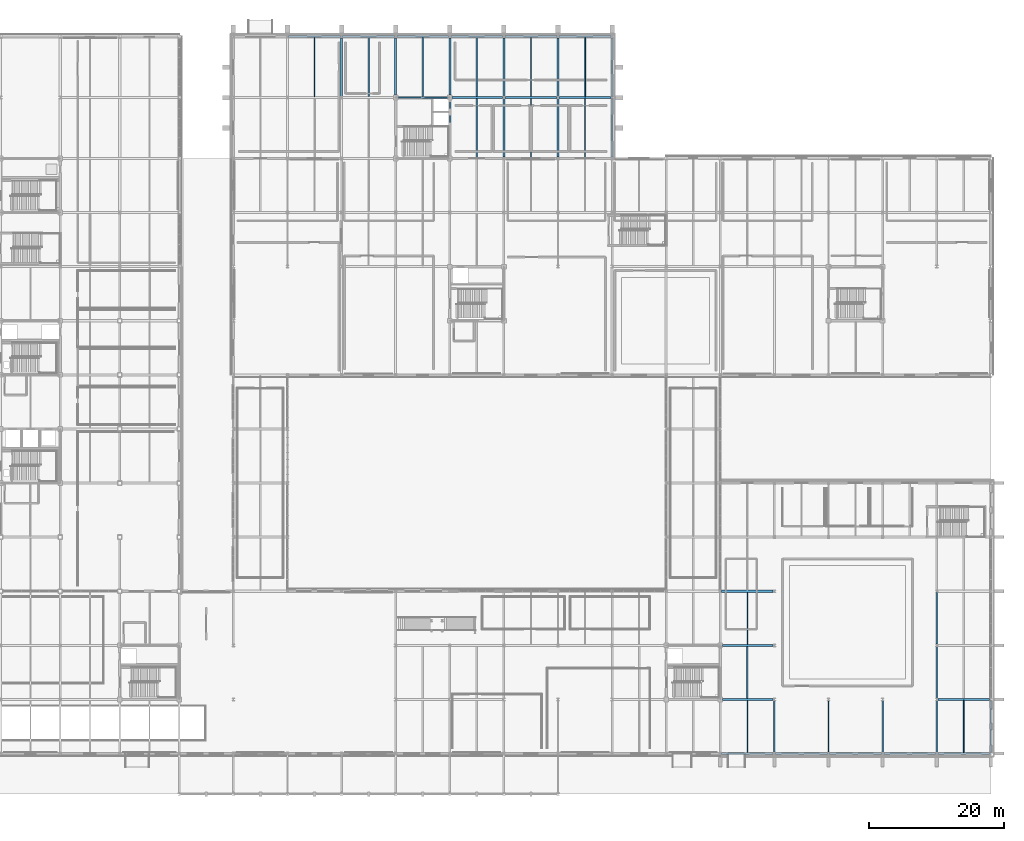
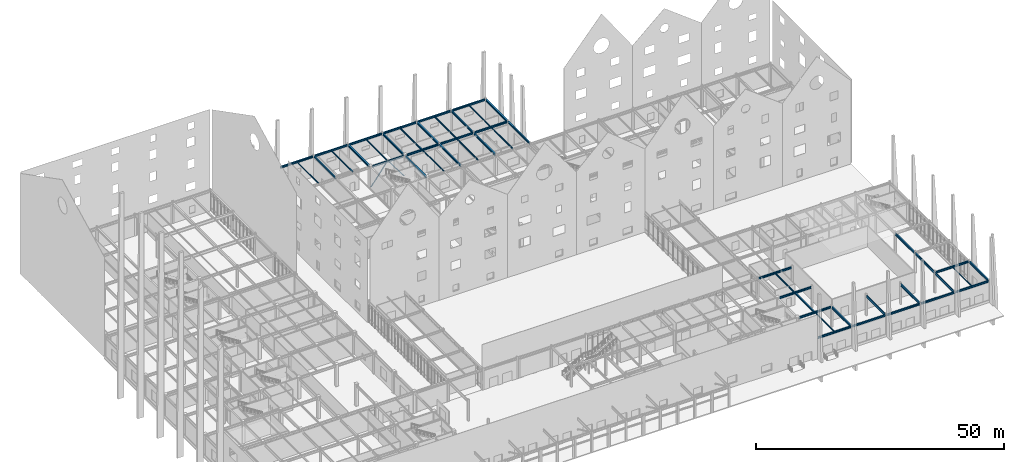
# One storey, part 48 of 119: 49 beams, 2 members.
"""IFC4 building model written with IfcOpenShell, lengths in metres."""

import ifcopenshell
import ifcopenshell.guid

model = None  # the IFC model being written
_history = None  # IfcOwnerHistory: only IFC2X3 demands one
_inside = {}  # id of a spatial element -> (the spatial element, [elements in it])
_under = {}  # id of a project, library or spatial element -> (it, [spatial elements below it])
_declared = {}  # id of a project -> (the project, [libraries it declares])
_typed = {}  # id of a type object -> (the type object, [elements of that type])
_made_of = {}  # id of a material, layer set ... -> (it, [elements and type objects made of it])


def new_model(schema):
    """Start an empty IFC model of exactly this schema.

    Asked for "IFC4X3", IfcOpenShell would pick the latest addendum, in which some entities
    have other attributes; the version numbers below select the first issue.
    IFC2X3 requires an IfcOwnerHistory on every rooted entity: one is made here for all.
    """
    global model, _history
    if schema == "IFC4X3":
        model = ifcopenshell.file(schema_version=(4, 3, 0, 0))
    else:
        model = ifcopenshell.file(schema=schema)
    _inside.clear()
    _under.clear()
    _declared.clear()
    _typed.clear()
    _made_of.clear()
    _history = None
    if model.schema == "IFC2X3":
        org = make("IfcOrganization", Name="unknown")
        user = make(
            "IfcPersonAndOrganization",
            ThePerson=make("IfcPerson", FamilyName="unknown"),
            TheOrganization=org,
        )
        app = make(
            "IfcApplication",
            ApplicationDeveloper=org,
            Version="unknown",
            ApplicationFullName="unknown",
            ApplicationIdentifier="unknown",
        )
        _history = make(
            "IfcOwnerHistory",
            OwningUser=user,
            OwningApplication=app,
            ChangeAction="ADDED",
            CreationDate=0,
        )
    return model


def make(cls, **values):
    """One entity of the class cls with the attributes given. An attribute that is None is left unset."""
    return model.create_entity(
        cls, **{name: value for name, value in values.items() if value is not None}
    )


def rooted(cls, **values):
    """An entity with a GlobalId (a new one), such as an element, a storey or a relation."""
    return make(cls, GlobalId=ifcopenshell.guid.new(), OwnerHistory=_history, **values)


def si_unit(unit_type, name, prefix=None):
    """IfcSIUnit, for example si_unit("LENGTHUNIT", "METRE", prefix="MILLI")."""
    return make("IfcSIUnit", UnitType=unit_type, Prefix=prefix, Name=name)


def assignment(units):
    """IfcUnitAssignment: the units of a project."""
    return None if units is None else make("IfcUnitAssignment", Units=units)


def point(xyz):
    """IfcCartesianPoint."""
    return None if xyz is None else make("IfcCartesianPoint", Coordinates=xyz)


def direction(xyz):
    """IfcDirection."""
    return None if xyz is None else make("IfcDirection", DirectionRatios=xyz)


def frame(location, z_axis=None, x_axis=None):
    """IfcAxis2Placement3D, a coordinate frame: its origin and axes. An axis left out is left unset."""
    return make(
        "IfcAxis2Placement3D",
        Location=point(location),
        Axis=direction(z_axis),
        RefDirection=direction(x_axis),
    )


def frame_2d(location, x_axis=None):
    """IfcAxis2Placement2D, a coordinate frame in the plane: its origin and x axis."""
    return make(
        "IfcAxis2Placement2D", Location=point(location), RefDirection=direction(x_axis)
    )


def origin():
    """The frame at (0, 0, 0) with its axes left unset."""
    return frame((0.0, 0.0, 0.0))


def origin_2d():
    """The frame at (0, 0) in the plane with its x axis left unset."""
    return frame_2d((0.0, 0.0))


def place(relative_to, where):
    """IfcLocalPlacement: puts the frame where relative to a parent placement (None: the world)."""
    return make(
        "IfcLocalPlacement", PlacementRelTo=relative_to, RelativePlacement=where
    )


def context(
    kind, dimensions, precision=None, world=None, true_north=None, identifier=None
):
    """IfcGeometricRepresentationContext, for example the 3D "Model" context."""
    return make(
        "IfcGeometricRepresentationContext",
        ContextIdentifier=identifier,
        ContextType=kind,
        CoordinateSpaceDimension=dimensions,
        Precision=precision,
        WorldCoordinateSystem=world,
        TrueNorth=true_north,
    )


def subcontext(parent, identifier, kind, view, scale=None):
    """IfcGeometricRepresentationSubContext, for example "Body" below "Model"."""
    return make(
        "IfcGeometricRepresentationSubContext",
        ContextIdentifier=identifier,
        ContextType=kind,
        ParentContext=parent,
        TargetScale=scale,
        TargetView=view,
    )


def project(units=None, contexts=None):
    """IfcProject with its units and contexts."""
    return rooted(
        "IfcProject",
        Name="project",
        RepresentationContexts=contexts,
        UnitsInContext=assignment(units),
    )


def spatial(cls, under=None, at=None, **own):
    """A site, building, storey or space (cls), placed at a placement, below another one or the project."""
    s = rooted(cls, ObjectPlacement=at, **own)
    if under is not None:
        _under.setdefault(under.id(), (under, []))[1].append(s)
    return s


def profile(cls, at=None, kind="AREA", **sizes):
    """A parametric profile (cls). Its sizes go by their IFC names, for example OverallWidth=200.0."""
    return make(cls, ProfileType=kind, Position=at, **sizes)


def hollow_rectangle(**sizes):
    """IfcRectangleHollowProfileDef."""
    return profile("IfcRectangleHollowProfileDef", **sizes)


def hollow_circle(**sizes):
    """IfcCircleHollowProfileDef."""
    return profile("IfcCircleHollowProfileDef", **sizes)


def i_section(**sizes):
    """IfcIShapeProfileDef."""
    return profile("IfcIShapeProfileDef", **sizes)


def extrude(swept, where, along, depth):
    """IfcExtrudedAreaSolid: the profile swept, set in the frame where, extruded along a direction by depth."""
    return make(
        "IfcExtrudedAreaSolid",
        SweptArea=swept,
        Position=where,
        ExtrudedDirection=direction(along),
        Depth=depth,
    )


def shape(context_of_items, identifier, shape_type, items):
    """IfcShapeRepresentation: the items that make up one representation, for example the "Body"."""
    return make(
        "IfcShapeRepresentation",
        ContextOfItems=context_of_items,
        RepresentationIdentifier=identifier,
        RepresentationType=shape_type,
        Items=items,
    )


def material(Name=None, Category=None):
    """IfcMaterial."""
    return make("IfcMaterial", Name=Name, Category=Category)


def material_profile(
    of_material, cross_section, Name=None, Category=None, Priority=None
):
    """IfcMaterialProfile: a cross section and its material."""
    return make(
        "IfcMaterialProfile",
        Name=Name,
        Material=of_material,
        Profile=cross_section,
        Priority=Priority,
        Category=Category,
    )


def profile_set(profiles, Name=None, composite=None):
    """IfcMaterialProfileSet."""
    return make(
        "IfcMaterialProfileSet",
        Name=Name,
        MaterialProfiles=profiles,
        CompositeProfile=composite,
    )


def made_of(thing, what):
    """Note that an element or type object is made of a material, layer set ...; save() writes the relation."""
    if what is not None:
        _made_of.setdefault(what.id(), (what, []))[1].append(thing)
    return thing


def type_object(cls, material=None, **own):
    """A type object (cls), such as IfcWallType, which elements share."""
    return made_of(rooted(cls, **own), material)


def element(
    cls,
    number,
    at=None,
    inside=None,
    cuts=None,
    type_object=None,
    material=None,
    context=None,
    identifier="Body",
    shape_type=None,
    held_by="IfcProductDefinitionShape",
    body=None,
    shapes=None,
    **own,
):
    """One element of the class cls, such as IfcWall. Its Tag is "e" and its number.

    at: its placement. inside: the storey or other place that contains it. cuts: it is an
    opening in that element (IfcRelVoidsElement). A single representation is given by context,
    identifier, shape_type and body (its items); several are given by shapes. held_by: the class
    of the entity that holds the representations. save() writes the other relations.
    """
    e = rooted(cls, Tag="e%d" % number, ObjectPlacement=at, **own)
    if body is not None:
        shapes = [shape(context, identifier, shape_type, body)]
    if shapes is not None:
        e.Representation = make(held_by, Representations=shapes)
    if inside is not None:
        _inside.setdefault(inside.id(), (inside, []))[1].append(e)
    if cuts is not None:
        rooted(
            "IfcRelVoidsElement", RelatingBuildingElement=cuts, RelatedOpeningElement=e
        )
    if type_object is not None:
        _typed.setdefault(type_object.id(), (type_object, []))[1].append(e)
    return made_of(e, material)


def aggregate(whole, parts):
    """IfcRelAggregates: a whole, such as a stair, and the parts it consists of."""
    return rooted("IfcRelAggregates", RelatingObject=whole, RelatedObjects=parts)


def save(model, path):
    """Write the relations noted so far, then the file.

    IfcRelAggregates (storeys below a building ...), IfcRelContainedInSpatialStructure (elements
    in a storey), IfcRelDefinesByType, IfcRelAssociatesMaterial and IfcRelDeclares: one each for
    every whole, place, type object, material and project.
    """
    for whole, parts in _under.values():
        aggregate(whole, parts)
    for where, things in _inside.values():
        rooted(
            "IfcRelContainedInSpatialStructure",
            RelatedElements=things,
            RelatingStructure=where,
        )
    for kind, things in _typed.values():
        rooted("IfcRelDefinesByType", RelatedObjects=things, RelatingType=kind)
    for what, things in _made_of.values():
        rooted("IfcRelAssociatesMaterial", RelatedObjects=things, RelatingMaterial=what)
    for by, libraries in _declared.values():
        rooted("IfcRelDeclares", RelatingContext=by, RelatedDefinitions=libraries)
    model.write(path)


model = new_model("IFC4")

# Units and contexts
model_context = context("Model", 3, precision=1e-05, world=origin(), true_north=direction((0.0, 1.0)))
body_context = subcontext(model_context, "Body", "Model", "MODEL_VIEW")
ifc_project = project(units=[si_unit("LENGTHUNIT", "METRE"), si_unit("AREAUNIT", "SQUARE_METRE"), si_unit("VOLUMEUNIT", "CUBIC_METRE"), si_unit("PLANEANGLEUNIT", "RADIAN"), si_unit("MASSUNIT", "GRAM", prefix="KILO")], contexts=[model_context])

# Site, building, storey
site_placement = place(None, origin())
site = spatial("IfcSite", under=ifc_project, at=site_placement, CompositionType="ELEMENT")
building_placement = place(site_placement, origin())
building = spatial("IfcBuilding", under=site, at=building_placement, Name="Zhaolan Boulevard Law Courts", CompositionType="ELEMENT")
storey_placement = place(building_placement, origin())
storey = spatial("IfcBuildingStorey", under=building, at=storey_placement, Name="L00", CompositionType="ELEMENT", Elevation=0.0)

# Member
ifc_material_1 = material(Name="Structural steel Q355B", Category="steel")
ifc_material_profile_1 = material_profile(ifc_material_1, hollow_rectangle(XDim=0.219970703125, YDim=0.219970703125, WallThickness=0.010009765625, InnerFilletRadius=0.010009765625, OuterFilletRadius=0.02001953125, at=origin_2d()), Name="HSS220x220x10")
ifc_profile_set_1 = profile_set([ifc_material_profile_1], Name="Structural steel Q355B")
member_type_1 = type_object("IfcMemberType", Name="BRACE HSS220", PredefinedType="BRACE", material=ifc_profile_set_1)
member_1_placement = place(storey_placement, frame((83.820068359375, 103.0, 0.030029296875), z_axis=(-0.600251625626, 0.0, 0.799811218935), x_axis=(0.0, -1.0, 0.0)))
element("IfcMember", 1, at=member_1_placement, inside=storey, type_object=member_type_1, Name="Core Brace BR-C1-L00-N2", PredefinedType="BRACE", context=body_context, shape_type="SweptSolid", body=[
    extrude(hollow_rectangle(XDim=0.219970703125, YDim=0.219970703125, WallThickness=0.010009765625, InnerFilletRadius=0.010009765625, OuterFilletRadius=0.02001953125, at=origin_2d()), origin(), (0.0, 0.0, 1.0), 6.364013671875),
])

# Beams
ifc_material_2 = material(Name="Structural steel Q355B", Category="steel")
ifc_material_profile_2 = material_profile(ifc_material_2, i_section(OverallWidth=0.300048828125, OverallDepth=0.43994140625, WebThickness=0.010986328125, FlangeThickness=0.01806640625, FilletRadius=0.02001953125, at=origin_2d()), Name="HM440x300")
ifc_profile_set_2 = profile_set([ifc_material_profile_2], Name="Structural steel Q355B")
beam_type_1 = type_object("IfcBeamType", Name="GIRDER HM440", PredefinedType="BEAM", material=ifc_profile_set_2)
for number, where, z_axis, x_axis, name in (
    (2, (124.1708984375, 6.0, 4.89794921875), (1.0, 0.0, 0.0), (0.0, 1.0, 0.0), "Beam BX-L01-16-17-B"),
    (3, (132.1708984375, 6.0, 4.89794921875), (1.0, 0.0, 0.0), (0.0, 1.0, 0.0), "Beam BX-L01-17-18-B"),
    (4, (140.1708984375, 6.0, 4.89794921875), (1.0, 0.0, 0.0), (0.0, 1.0, 0.0), "Beam BX-L01-18-19-B"),
    (5, (148.1708984375, 6.0, 4.89794921875), (1.0, 0.0, 0.0), (0.0, 1.0, 0.0), "Beam BX-L01-19-20-B"),
    (6, (156.1708984375, 6.0, 4.89794921875), (1.0, 0.0, 0.0), (0.0, 1.0, 0.0), "Beam BX-L01-20-21-B"),
):
    element("IfcBeam", number, at=place(storey_placement, frame(where, z_axis=z_axis, x_axis=x_axis)), inside=storey, type_object=beam_type_1, Name=name, PredefinedType="BEAM", context=body_context, shape_type="SweptSolid", body=[
        extrude(i_section(OverallWidth=0.300048828125, OverallDepth=0.43994140625, WebThickness=0.010986328125, FlangeThickness=0.01806640625, FilletRadius=0.02001953125, at=origin_2d()), origin(), (0.0, 0.0, 1.0), 7.658203125),
    ])
beam_1_placement = place(storey_placement, frame((124.345947265625, 14.0, 4.89794921875), z_axis=(1.0, 0.0, 0.0), x_axis=(0.0, 1.0, 0.0)))
element("IfcBeam", 7, at=beam_1_placement, inside=storey, type_object=beam_type_1, Name="Beam BX-L01-16-17-C", PredefinedType="BEAM", context=body_context, shape_type="SweptSolid", body=[
    extrude(i_section(OverallWidth=0.300048828125, OverallDepth=0.43994140625, WebThickness=0.010986328125, FlangeThickness=0.01806640625, FilletRadius=0.02001953125, at=origin_2d()), origin(), (0.0, 0.0, 1.0), 7.483154296875),
])
beam_2_placement = place(storey_placement, frame((156.1708984375, 14.0, 4.89794921875), z_axis=(1.0, 0.0, 0.0), x_axis=(0.0, 1.0, 0.0)))
element("IfcBeam", 8, at=beam_2_placement, inside=storey, type_object=beam_type_1, Name="Beam BX-L01-20-21-C", PredefinedType="BEAM", context=body_context, shape_type="SweptSolid", body=[
    extrude(i_section(OverallWidth=0.300048828125, OverallDepth=0.43994140625, WebThickness=0.010986328125, FlangeThickness=0.01806640625, FilletRadius=0.02001953125, at=origin_2d()), origin(), (0.0, 0.0, 1.0), 7.658203125),
])
beam_3_placement = place(storey_placement, frame((124.345947265625, 22.0, 4.89794921875), z_axis=(1.0, 0.0, 0.0), x_axis=(0.0, 1.0, 0.0)))
element("IfcBeam", 9, at=beam_3_placement, inside=storey, type_object=beam_type_1, Name="Beam BX-L01-16-17-D", PredefinedType="BEAM", context=body_context, shape_type="SweptSolid", body=[
    extrude(i_section(OverallWidth=0.300048828125, OverallDepth=0.43994140625, WebThickness=0.010986328125, FlangeThickness=0.01806640625, FilletRadius=0.02001953125, at=origin_2d()), origin(), (0.0, 0.0, 1.0), 7.483154296875),
])
beam_4_placement = place(storey_placement, frame((124.1708984375, 30.0, 4.89794921875), z_axis=(1.0, 0.0, 0.0), x_axis=(0.0, 1.0, 0.0)))
element("IfcBeam", 10, at=beam_4_placement, inside=storey, type_object=beam_type_1, Name="Beam BX-L01-16-17-E", PredefinedType="BEAM", context=body_context, shape_type="SweptSolid", body=[
    extrude(i_section(OverallWidth=0.300048828125, OverallDepth=0.43994140625, WebThickness=0.010986328125, FlangeThickness=0.01806640625, FilletRadius=0.02001953125, at=origin_2d()), origin(), (0.0, 0.0, 1.0), 7.658203125),
])
beam_5_placement = place(storey_placement, frame((76.345947265625, 103.0, 4.91796875), z_axis=(1.0, 0.0, 0.0), x_axis=(0.0, 1.0, 0.0)))
element("IfcBeam", 11, at=beam_5_placement, inside=storey, type_object=beam_type_1, Name="Beam BX-L01-10-11-P", PredefinedType="BEAM", context=body_context, shape_type="SweptSolid", body=[
    extrude(i_section(OverallWidth=0.300048828125, OverallDepth=0.43994140625, WebThickness=0.010986328125, FlangeThickness=0.01806640625, FilletRadius=0.02001953125, at=origin_2d()), origin(), (0.0, 0.0, 1.0), 7.30810546875),
])
beam_6_placement = place(storey_placement, frame((84.345947265625, 103.0, 4.91796875), z_axis=(1.0, 0.0, 0.0), x_axis=(0.0, 1.0, 0.0)))
element("IfcBeam", 12, at=beam_6_placement, inside=storey, type_object=beam_type_1, Name="Beam BX-L01-11-12-P", PredefinedType="BEAM", context=body_context, shape_type="SweptSolid", body=[
    extrude(i_section(OverallWidth=0.300048828125, OverallDepth=0.43994140625, WebThickness=0.010986328125, FlangeThickness=0.01806640625, FilletRadius=0.02001953125, at=origin_2d()), origin(), (0.0, 0.0, 1.0), 7.483154296875),
])
for number, where, z_axis, x_axis, name in (
    (13, (92.1708984375, 103.0, 4.91796875), (1.0, 0.0, 0.0), (0.0, 1.0, 0.0), "Beam BX-L01-12-13-P"),
    (14, (100.1708984375, 103.0, 4.91796875), (1.0, 0.0, 0.0), (0.0, 1.0, 0.0), "Beam BX-L01-13-14-P"),
    (15, (60.1708984375, 112.0, 4.91796875), (1.0, 0.0, 0.0), (0.0, 1.0, 0.0), "Beam BX-L01-8-9-Q"),
    (16, (68.1708984375, 112.0, 4.91796875), (1.0, 0.0, 0.0), (0.0, 1.0, 0.0), "Beam BX-L01-9-10-Q"),
    (17, (76.1708984375, 112.0, 4.91796875), (1.0, 0.0, 0.0), (0.0, 1.0, 0.0), "Beam BX-L01-10-11-Q"),
    (18, (84.1708984375, 112.0, 4.91796875), (1.0, 0.0, 0.0), (0.0, 1.0, 0.0), "Beam BX-L01-11-12-Q"),
    (19, (92.1708984375, 112.0, 4.91796875), (1.0, 0.0, 0.0), (0.0, 1.0, 0.0), "Beam BX-L01-12-13-Q"),
    (20, (100.1708984375, 112.0, 4.91796875), (1.0, 0.0, 0.0), (0.0, 1.0, 0.0), "Beam BX-L01-13-14-Q"),
):
    element("IfcBeam", number, at=place(storey_placement, frame(where, z_axis=z_axis, x_axis=x_axis)), inside=storey, type_object=beam_type_1, Name=name, PredefinedType="BEAM", context=body_context, shape_type="SweptSolid", body=[
        extrude(i_section(OverallWidth=0.300048828125, OverallDepth=0.43994140625, WebThickness=0.010986328125, FlangeThickness=0.01806640625, FilletRadius=0.02001953125, at=origin_2d()), origin(), (0.0, 0.0, 1.0), 7.658203125),
    ])
ifc_material_3 = material(Name="Structural steel Q355B", Category="steel")
ifc_material_profile_3 = material_profile(ifc_material_3, i_section(OverallWidth=0.300048828125, OverallDepth=0.48193359375, WebThickness=0.010986328125, FlangeThickness=0.014892578125, FilletRadius=0.02197265625, at=origin_2d()), Name="HM482x300")
ifc_profile_set_3 = profile_set([ifc_material_profile_3], Name="Structural steel Q355B")
beam_type_2 = type_object("IfcBeamType", Name="GIRDER HM488", PredefinedType="BEAM", material=ifc_profile_set_3)
beam_7_placement = place(storey_placement, frame((68.0, 103.1708984375, 4.89697265625), z_axis=(0.0, 1.0, 0.0), x_axis=(-1.0, 0.0, 0.0)))
element("IfcBeam", 21, at=beam_7_placement, inside=storey, type_object=beam_type_2, Name="Beam BY-L01-9-P-Q", PredefinedType="BEAM", context=body_context, shape_type="SweptSolid", body=[
    extrude(i_section(OverallWidth=0.300048828125, OverallDepth=0.48193359375, WebThickness=0.010986328125, FlangeThickness=0.014892578125, FilletRadius=0.02197265625, at=origin_2d()), origin(), (0.0, 0.0, 1.0), 8.658203125),
])
beam_8_placement = place(storey_placement, frame((76.0, 103.345947265625, 4.89697265625), z_axis=(0.0, 1.0, 0.0), x_axis=(-1.0, 0.0, 0.0)))
element("IfcBeam", 22, at=beam_8_placement, inside=storey, type_object=beam_type_2, Name="Beam BY-L01-10-P-Q", PredefinedType="BEAM", context=body_context, shape_type="SweptSolid", body=[
    extrude(i_section(OverallWidth=0.300048828125, OverallDepth=0.48193359375, WebThickness=0.010986328125, FlangeThickness=0.014892578125, FilletRadius=0.02197265625, at=origin_2d()), origin(), (0.0, 0.0, 1.0), 8.483154296875),
])
beam_9_placement = place(storey_placement, frame((84.0, 94.345947265625, 4.89697265625), z_axis=(0.0, 1.0, 0.0), x_axis=(-1.0, 0.0, 0.0)))
element("IfcBeam", 23, at=beam_9_placement, inside=storey, type_object=beam_type_2, Name="Beam BY-L01-11-N-P", PredefinedType="BEAM", context=body_context, shape_type="SweptSolid", body=[
    extrude(i_section(OverallWidth=0.300048828125, OverallDepth=0.48193359375, WebThickness=0.010986328125, FlangeThickness=0.014892578125, FilletRadius=0.02197265625, at=origin_2d()), origin(), (0.0, 0.0, 1.0), 8.30810546875),
])
beam_10_placement = place(storey_placement, frame((84.0, 103.345947265625, 4.89697265625), z_axis=(0.0, 1.0, 0.0), x_axis=(-1.0, 0.0, 0.0)))
element("IfcBeam", 24, at=beam_10_placement, inside=storey, type_object=beam_type_2, Name="Beam BY-L01-11-P-Q", PredefinedType="BEAM", context=body_context, shape_type="SweptSolid", body=[
    extrude(i_section(OverallWidth=0.300048828125, OverallDepth=0.48193359375, WebThickness=0.010986328125, FlangeThickness=0.014892578125, FilletRadius=0.02197265625, at=origin_2d()), origin(), (0.0, 0.0, 1.0), 8.483154296875),
])
beam_11_placement = place(storey_placement, frame((92.0, 94.196044921875, 4.89697265625), z_axis=(0.0, 1.0, 0.0), x_axis=(-1.0, 0.0, 0.0)))
element("IfcBeam", 25, at=beam_11_placement, inside=storey, type_object=beam_type_2, Name="Beam BY-L01-12-N-P", PredefinedType="BEAM", context=body_context, shape_type="SweptSolid", body=[
    extrude(i_section(OverallWidth=0.300048828125, OverallDepth=0.48193359375, WebThickness=0.010986328125, FlangeThickness=0.014892578125, FilletRadius=0.02197265625, at=origin_2d()), origin(), (0.0, 0.0, 1.0), 8.633056640625),
])
beam_12_placement = place(storey_placement, frame((92.0, 103.1708984375, 4.89697265625), z_axis=(0.0, 1.0, 0.0), x_axis=(-1.0, 0.0, 0.0)))
element("IfcBeam", 26, at=beam_12_placement, inside=storey, type_object=beam_type_2, Name="Beam BY-L01-12-P-Q", PredefinedType="BEAM", context=body_context, shape_type="SweptSolid", body=[
    extrude(i_section(OverallWidth=0.300048828125, OverallDepth=0.48193359375, WebThickness=0.010986328125, FlangeThickness=0.014892578125, FilletRadius=0.02197265625, at=origin_2d()), origin(), (0.0, 0.0, 1.0), 8.658203125),
])
beam_13_placement = place(storey_placement, frame((100.0, 94.196044921875, 4.89697265625), z_axis=(0.0, 1.0, 0.0), x_axis=(-1.0, 0.0, 0.0)))
element("IfcBeam", 27, at=beam_13_placement, inside=storey, type_object=beam_type_2, Name="Beam BY-L01-13-N-P", PredefinedType="BEAM", context=body_context, shape_type="SweptSolid", body=[
    extrude(i_section(OverallWidth=0.300048828125, OverallDepth=0.48193359375, WebThickness=0.010986328125, FlangeThickness=0.014892578125, FilletRadius=0.02197265625, at=origin_2d()), origin(), (0.0, 0.0, 1.0), 8.633056640625),
])
beam_14_placement = place(storey_placement, frame((100.0, 103.1708984375, 4.89697265625), z_axis=(0.0, 1.0, 0.0), x_axis=(-1.0, 0.0, 0.0)))
element("IfcBeam", 28, at=beam_14_placement, inside=storey, type_object=beam_type_2, Name="Beam BY-L01-13-P-Q", PredefinedType="BEAM", context=body_context, shape_type="SweptSolid", body=[
    extrude(i_section(OverallWidth=0.300048828125, OverallDepth=0.48193359375, WebThickness=0.010986328125, FlangeThickness=0.014892578125, FilletRadius=0.02197265625, at=origin_2d()), origin(), (0.0, 0.0, 1.0), 8.658203125),
])
beam_15_placement = place(storey_placement, frame((108.0, 94.196044921875, 4.89697265625), z_axis=(0.0, 1.0, 0.0), x_axis=(-1.0, 0.0, 0.0)))
element("IfcBeam", 29, at=beam_15_placement, inside=storey, type_object=beam_type_2, Name="Beam BY-L01-14-N-P", PredefinedType="BEAM", context=body_context, shape_type="SweptSolid", body=[
    extrude(i_section(OverallWidth=0.300048828125, OverallDepth=0.48193359375, WebThickness=0.010986328125, FlangeThickness=0.014892578125, FilletRadius=0.02197265625, at=origin_2d()), origin(), (0.0, 0.0, 1.0), 8.633056640625),
])
beam_16_placement = place(storey_placement, frame((108.0, 103.1708984375, 4.89697265625), z_axis=(0.0, 1.0, 0.0), x_axis=(-1.0, 0.0, 0.0)))
element("IfcBeam", 30, at=beam_16_placement, inside=storey, type_object=beam_type_2, Name="Beam BY-L01-14-P-Q", PredefinedType="BEAM", context=body_context, shape_type="SweptSolid", body=[
    extrude(i_section(OverallWidth=0.300048828125, OverallDepth=0.48193359375, WebThickness=0.010986328125, FlangeThickness=0.014892578125, FilletRadius=0.02197265625, at=origin_2d()), origin(), (0.0, 0.0, 1.0), 8.658203125),
])
ifc_material_4 = material(Name="Structural steel Q355B", Category="steel")
ifc_material_profile_4 = material_profile(ifc_material_4, i_section(OverallWidth=0.199951171875, OverallDepth=0.60009765625, WebThickness=0.010986328125, FlangeThickness=0.01708984375, FilletRadius=0.02001953125, at=origin_2d()), Name="HN600x200")
ifc_profile_set_4 = profile_set([ifc_material_profile_4], Name="Structural steel Q355B")
beam_type_3 = type_object("IfcBeamType", Name="GIRDER HN600", PredefinedType="BEAM", material=ifc_profile_set_4)
for number, where, z_axis, x_axis, name in (
    (31, (132.0, 6.1708984375, 4.818115234375), (0.0, 1.0, 0.0), (-1.0, 0.0, 0.0), "Beam BY-L01-17-B-C"),
    (32, (140.0, 6.1708984375, 4.818115234375), (0.0, 1.0, 0.0), (-1.0, 0.0, 0.0), "Beam BY-L01-18-B-C"),
    (33, (148.0, 6.1708984375, 4.818115234375), (0.0, 1.0, 0.0), (-1.0, 0.0, 0.0), "Beam BY-L01-19-B-C"),
    (34, (156.0, 6.1708984375, 4.818115234375), (0.0, 1.0, 0.0), (-1.0, 0.0, 0.0), "Beam BY-L01-20-B-C"),
    (35, (156.0, 14.1708984375, 4.818115234375), (0.0, 1.0, 0.0), (-1.0, 0.0, 0.0), "Beam BY-L01-20-C-D"),
    (36, (156.0, 22.1708984375, 4.818115234375), (0.0, 1.0, 0.0), (-1.0, 0.0, 0.0), "Beam BY-L01-20-D-E"),
    (37, (164.0, 6.1708984375, 4.818115234375), (0.0, 1.0, 0.0), (-1.0, 0.0, 0.0), "Beam BY-L01-21-B-C"),
):
    element("IfcBeam", number, at=place(storey_placement, frame(where, z_axis=z_axis, x_axis=x_axis)), inside=storey, type_object=beam_type_3, Name=name, PredefinedType="BEAM", context=body_context, shape_type="SweptSolid", body=[
        extrude(i_section(OverallWidth=0.199951171875, OverallDepth=0.60009765625, WebThickness=0.010986328125, FlangeThickness=0.01708984375, FilletRadius=0.02001953125, at=origin_2d()), origin(), (0.0, 0.0, 1.0), 7.658203125),
    ])
ifc_material_5 = material(Name="Structural steel Q355B", Category="steel")
ifc_material_profile_5 = material_profile(ifc_material_5, i_section(OverallWidth=0.175048828125, OverallDepth=0.243896484375, WebThickness=0.007080078125, FlangeThickness=0.010986328125, FilletRadius=0.012939453125, at=origin_2d()), Name="HM244x175")
ifc_profile_set_5 = profile_set([ifc_material_profile_5], Name="Structural steel Q355B")
beam_type_4 = type_object("IfcBeamType", Name="JOIST HM244", PredefinedType="JOIST", material=ifc_profile_set_5)
for number, where, z_axis, x_axis, name in (
    (38, (80.0, 103.14599609375, 5.01611328125), (0.0, 1.0, 0.0), (-1.0, 0.0, 0.0), "Composite Joist J-L01-10P"),
    (39, (88.0, 94.14599609375, 5.01611328125), (0.0, 1.0, 0.0), (-1.0, 0.0, 0.0), "Composite Joist J-L01-11N"),
):
    element("IfcBeam", number, at=place(storey_placement, frame(where, z_axis=z_axis, x_axis=x_axis)), inside=storey, type_object=beam_type_4, Name=name, PredefinedType="JOIST", context=body_context, shape_type="SweptSolid", body=[
        extrude(i_section(OverallWidth=0.175048828125, OverallDepth=0.243896484375, WebThickness=0.007080078125, FlangeThickness=0.010986328125, FilletRadius=0.012939453125, at=origin_2d()), origin(), (0.0, 0.0, 1.0), 8.7080078125),
    ])
beam_17_placement = place(storey_placement, frame((128.0, 6.14599609375, 4.99609375), z_axis=(0.0, 1.0, 0.0), x_axis=(-1.0, 0.0, 0.0)))
element("IfcBeam", 40, at=beam_17_placement, inside=storey, type_object=beam_type_4, Name="Composite Joist J-L01-16B", PredefinedType="JOIST", context=body_context, shape_type="SweptSolid", body=[
    extrude(i_section(OverallWidth=0.175048828125, OverallDepth=0.243896484375, WebThickness=0.007080078125, FlangeThickness=0.010986328125, FilletRadius=0.012939453125, at=origin_2d()), origin(), (0.0, 0.0, 1.0), 7.7080078125),
])
ifc_material_6 = material(Name="Structural steel Q355B", Category="steel")
ifc_material_profile_6 = material_profile(ifc_material_6, i_section(OverallWidth=0.199951171875, OverallDepth=0.2939453125, WebThickness=0.008056640625, FlangeThickness=0.011962890625, FilletRadius=0.01611328125, at=origin_2d()), Name="HM294x200")
ifc_profile_set_6 = profile_set([ifc_material_profile_6], Name="Structural steel Q355B")
beam_type_5 = type_object("IfcBeamType", Name="JOIST HM294", PredefinedType="JOIST", material=ifc_profile_set_6)
beam_18_placement = place(storey_placement, frame((72.0, 103.14599609375, 4.990966796875), z_axis=(0.0, 1.0, 0.0), x_axis=(-1.0, 0.0, 0.0)))
element("IfcBeam", 41, at=beam_18_placement, inside=storey, type_object=beam_type_5, Name="Composite Joist J-L01-9P", PredefinedType="JOIST", context=body_context, shape_type="SweptSolid", body=[
    extrude(i_section(OverallWidth=0.199951171875, OverallDepth=0.2939453125, WebThickness=0.008056640625, FlangeThickness=0.011962890625, FilletRadius=0.01611328125, at=origin_2d()), origin(), (0.0, 0.0, 1.0), 8.7080078125),
])
ifc_material_7 = material(Name="Structural steel Q355B", Category="steel")
ifc_material_profile_7 = material_profile(ifc_material_7, i_section(OverallWidth=0.125, OverallDepth=0.25, WebThickness=0.006103515625, FlangeThickness=0.009033203125, FilletRadius=0.010009765625, at=origin_2d()), Name="HN250x125")
ifc_profile_set_7 = profile_set([ifc_material_profile_7], Name="Structural steel Q355B")
beam_type_6 = type_object("IfcBeamType", Name="JOIST HN250", PredefinedType="JOIST", material=ifc_profile_set_7)
beam_19_placement = place(storey_placement, frame((64.0, 103.14599609375, 5.012939453125), z_axis=(0.0, 1.0, 0.0), x_axis=(-1.0, 0.0, 0.0)))
element("IfcBeam", 42, at=beam_19_placement, inside=storey, type_object=beam_type_6, Name="Composite Joist J-L01-8P", PredefinedType="JOIST", context=body_context, shape_type="SweptSolid", body=[
    extrude(i_section(OverallWidth=0.125, OverallDepth=0.25, WebThickness=0.006103515625, FlangeThickness=0.009033203125, FilletRadius=0.010009765625, at=origin_2d()), origin(), (0.0, 0.0, 1.0), 8.7080078125),
])
beam_20_placement = place(storey_placement, frame((160.0, 6.14599609375, 4.992919921875), z_axis=(0.0, 1.0, 0.0), x_axis=(-1.0, 0.0, 0.0)))
element("IfcBeam", 43, at=beam_20_placement, inside=storey, type_object=beam_type_6, Name="Composite Joist J-L01-20B", PredefinedType="JOIST", context=body_context, shape_type="SweptSolid", body=[
    extrude(i_section(OverallWidth=0.125, OverallDepth=0.25, WebThickness=0.006103515625, FlangeThickness=0.009033203125, FilletRadius=0.010009765625, at=origin_2d()), origin(), (0.0, 0.0, 1.0), 7.7080078125),
])
ifc_material_8 = material(Name="Structural steel Q355B", Category="steel")
ifc_material_profile_8 = material_profile(ifc_material_8, i_section(OverallWidth=0.14990234375, OverallDepth=0.300048828125, WebThickness=0.006591796875, FlangeThickness=0.009033203125, FilletRadius=0.010986328125, at=origin_2d()), Name="HN300x150")
ifc_profile_set_8 = profile_set([ifc_material_profile_8], Name="Structural steel Q355B")
beam_type_7 = type_object("IfcBeamType", Name="JOIST HN300", PredefinedType="JOIST", material=ifc_profile_set_8)
beam_21_placement = place(storey_placement, frame((104.0, 103.14599609375, 4.988037109375), z_axis=(0.0, 1.0, 0.0), x_axis=(-1.0, 0.0, 0.0)))
element("IfcBeam", 44, at=beam_21_placement, inside=storey, type_object=beam_type_7, Name="Composite Joist J-L01-13P", PredefinedType="JOIST", context=body_context, shape_type="SweptSolid", body=[
    extrude(i_section(OverallWidth=0.14990234375, OverallDepth=0.300048828125, WebThickness=0.006591796875, FlangeThickness=0.009033203125, FilletRadius=0.010986328125, at=origin_2d()), origin(), (0.0, 0.0, 1.0), 8.7080078125),
])
ifc_material_9 = material(Name="Structural steel Q355B", Category="steel")
ifc_material_profile_9 = material_profile(ifc_material_9, i_section(OverallWidth=0.175048828125, OverallDepth=0.35009765625, WebThickness=0.007080078125, FlangeThickness=0.010986328125, FilletRadius=0.012939453125, at=origin_2d()), Name="HN350x175")
ifc_profile_set_9 = profile_set([ifc_material_profile_9], Name="Structural steel Q355B")
beam_type_8 = type_object("IfcBeamType", Name="JOIST HN350", PredefinedType="JOIST", material=ifc_profile_set_9)
for number, where, z_axis, x_axis, name in (
    (45, (96.0, 103.14599609375, 4.962890625), (0.0, 1.0, 0.0), (-1.0, 0.0, 0.0), "Composite Joist J-L01-12P"),
    (46, (104.0, 94.14599609375, 4.962890625), (0.0, 1.0, 0.0), (-1.0, 0.0, 0.0), "Composite Joist J-L01-13N"),
):
    element("IfcBeam", number, at=place(storey_placement, frame(where, z_axis=z_axis, x_axis=x_axis)), inside=storey, type_object=beam_type_8, Name=name, PredefinedType="JOIST", context=body_context, shape_type="SweptSolid", body=[
        extrude(i_section(OverallWidth=0.175048828125, OverallDepth=0.35009765625, WebThickness=0.007080078125, FlangeThickness=0.010986328125, FilletRadius=0.012939453125, at=origin_2d()), origin(), (0.0, 0.0, 1.0), 8.7080078125),
    ])
beam_22_placement = place(storey_placement, frame((128.0, 22.14599609375, 4.943115234375), z_axis=(0.0, 1.0, 0.0), x_axis=(-1.0, 0.0, 0.0)))
element("IfcBeam", 47, at=beam_22_placement, inside=storey, type_object=beam_type_8, Name="Composite Joist J-L01-16D", PredefinedType="JOIST", context=body_context, shape_type="SweptSolid", body=[
    extrude(i_section(OverallWidth=0.175048828125, OverallDepth=0.35009765625, WebThickness=0.007080078125, FlangeThickness=0.010986328125, FilletRadius=0.012939453125, at=origin_2d()), origin(), (0.0, 0.0, 1.0), 7.7080078125),
])
ifc_material_10 = material(Name="Structural steel Q355B", Category="steel")
ifc_material_profile_10 = material_profile(ifc_material_10, i_section(OverallWidth=0.199951171875, OverallDepth=0.39990234375, WebThickness=0.008056640625, FlangeThickness=0.012939453125, FilletRadius=0.013916015625, at=origin_2d()), Name="HN400x200")
ifc_profile_set_10 = profile_set([ifc_material_profile_10], Name="Structural steel Q355B")
beam_type_9 = type_object("IfcBeamType", Name="JOIST HN400", PredefinedType="JOIST", material=ifc_profile_set_10)
for number, where, z_axis, x_axis, name in (
    (48, (88.0, 103.14599609375, 4.93798828125), (0.0, 1.0, 0.0), (-1.0, 0.0, 0.0), "Composite Joist J-L01-11P"),
    (49, (96.0, 94.14599609375, 4.93798828125), (0.0, 1.0, 0.0), (-1.0, 0.0, 0.0), "Composite Joist J-L01-12N"),
):
    element("IfcBeam", number, at=place(storey_placement, frame(where, z_axis=z_axis, x_axis=x_axis)), inside=storey, type_object=beam_type_9, Name=name, PredefinedType="JOIST", context=body_context, shape_type="SweptSolid", body=[
        extrude(i_section(OverallWidth=0.199951171875, OverallDepth=0.39990234375, WebThickness=0.008056640625, FlangeThickness=0.012939453125, FilletRadius=0.013916015625, at=origin_2d()), origin(), (0.0, 0.0, 1.0), 8.7080078125),
    ])
beam_23_placement = place(storey_placement, frame((128.0, 14.14599609375, 4.91796875), z_axis=(0.0, 1.0, 0.0), x_axis=(-1.0, 0.0, 0.0)))
element("IfcBeam", 50, at=beam_23_placement, inside=storey, type_object=beam_type_9, Name="Composite Joist J-L01-16C", PredefinedType="JOIST", context=body_context, shape_type="SweptSolid", body=[
    extrude(i_section(OverallWidth=0.199951171875, OverallDepth=0.39990234375, WebThickness=0.008056640625, FlangeThickness=0.012939453125, FilletRadius=0.013916015625, at=origin_2d()), origin(), (0.0, 0.0, 1.0), 7.7080078125),
])

# Member
ifc_material_11 = material(Name="Structural steel Q355B", Category="steel")
ifc_material_profile_11 = material_profile(ifc_material_11, hollow_circle(Radius=0.083984375, WallThickness=0.008056640625, at=origin_2d()), Name="CHS168x8")
ifc_profile_set_11 = profile_set([ifc_material_profile_11], Name="Structural steel Q355B")
member_type_2 = type_object("IfcMemberType", Name="STRUT CHS168", PredefinedType="BRACE", material=ifc_profile_set_11)
member_2_placement = place(storey_placement, frame((76.179931640625, 103.0, 0.030029296875), z_axis=(0.600251625626, 0.0, 0.799811218935), x_axis=(0.0, 1.0, 0.0)))
element("IfcMember", 51, at=member_2_placement, inside=storey, type_object=member_type_2, Name="Core Brace BR-C1-L00-N1", PredefinedType="BRACE", context=body_context, shape_type="SweptSolid", body=[
    extrude(hollow_circle(Radius=0.083984375, WallThickness=0.008056640625, at=origin_2d()), origin(), (0.0, 0.0, 1.0), 6.364013671875),
])

save(model, "model.ifc")
